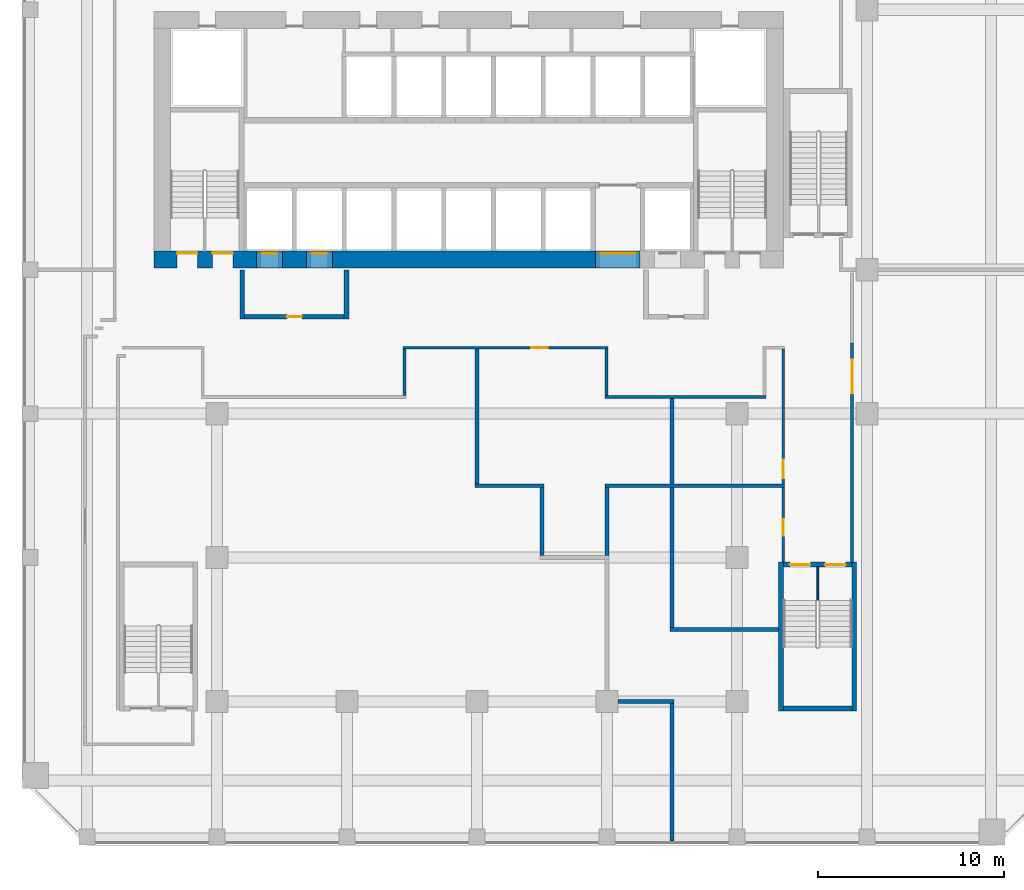
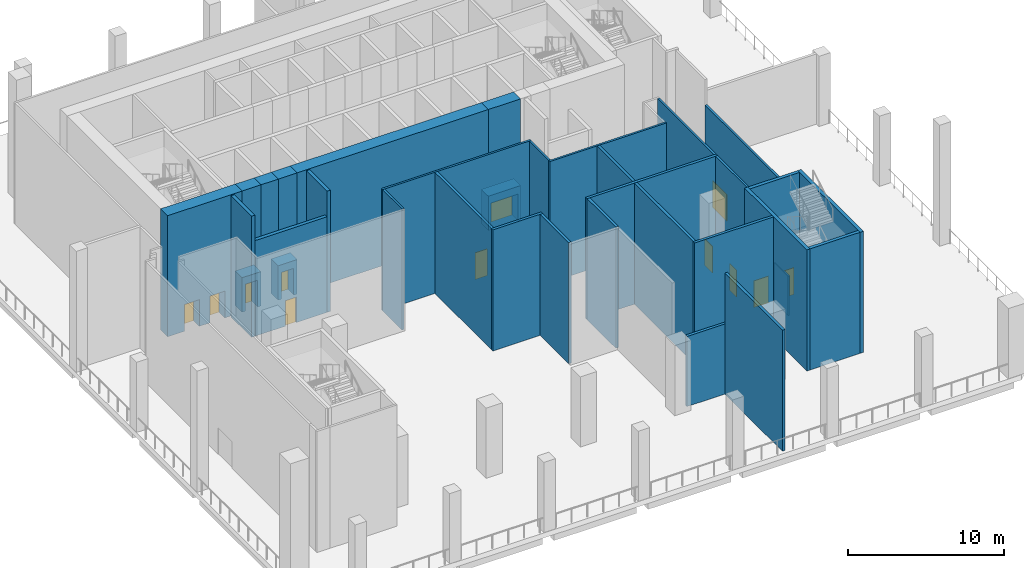
# One storey, part 3 of 12: 34 walls, 12 doors, 12 openings.
"""IFC4 building model written with IfcOpenShell, lengths in metres."""

from ifc_helpers import new_model, si_unit, direction, frame, frame_2d, origin, place, context, subcontext, project, spatial, rectangle, extrude, source, transform, mapped, material, layer, layer_set, type_object, element, fill, save


model = new_model("IFC4")

# Units and contexts
model_context = context("Model", 3, precision=1e-05, world=origin(), true_north=direction((0.0, 1.0)))
body_context = subcontext(model_context, "Body", "Model", "MODEL_VIEW")
ifc_project = project(units=[si_unit("LENGTHUNIT", "METRE"), si_unit("AREAUNIT", "SQUARE_METRE"), si_unit("VOLUMEUNIT", "CUBIC_METRE"), si_unit("PLANEANGLEUNIT", "RADIAN"), si_unit("MASSUNIT", "GRAM", prefix="KILO")], contexts=[model_context])

# Site, building, storey
site_placement = place(None, origin())
site = spatial("IfcSite", under=ifc_project, at=site_placement, CompositionType="ELEMENT")
building_placement = place(site_placement, origin())
building = spatial("IfcBuilding", under=site, at=building_placement, Name="Kilnfold Tower and Market Hall", CompositionType="ELEMENT")
storey_placement = place(building_placement, frame((0.0, 0.0, 128.60009765625)))
storey = spatial("IfcBuildingStorey", under=building, at=storey_placement, Name="L30 Refuge Wind Floor", CompositionType="ELEMENT", Elevation=128.60009765625)

# Wall, opening, door
ifc_material_1 = material(Name="Gypsum board on steel studs", Category="steel")
ifc_layer_1 = layer(ifc_material_1, 0.14990234375)
ifc_layer_set_1 = layer_set([ifc_layer_1], Name="Gypsum board on steel studs")
wall_type_1 = type_object("IfcWallType", Name="WALL CORRIDOR 150", PredefinedType="PARTITIONING", material=ifc_layer_set_1)
wall_1_placement = place(storey_placement, frame((-2.47509765625, 3.800048828125, 0.0), z_axis=(0.0, 0.0, 1.0), x_axis=(1.0, 0.0, 0.0)))
wall_1 = element("IfcWall", 1, at=wall_1_placement, inside=storey, type_object=wall_type_1, Name="Partition LY19.6", PredefinedType="PARTITIONING", context=body_context, shape_type="SweptSolid", body=[
    extrude(rectangle(XDim=11.030029296875, YDim=0.14990234375, at=frame_2d((5.51513671875, 0.0))), origin(), (0.0, 0.0, 1.0), 9.5),
])
opening_1_placement = place(wall_1_placement, frame((6.89599609375, 0.0, 0.0)))
opening_1 = element("IfcOpeningElement", 2, at=opening_1_placement, cuts=wall_1, Name="Opening D2", PredefinedType="OPENING", context=body_context, shape_type="SweptSolid", body=[
    extrude(rectangle(XDim=0.89990234375, YDim=2.10009765625, at=frame_2d((0.449951171875, 1.050048828125))), frame((0.0, 0.0849609375, 0.0), z_axis=(0.0, -1.0, 0.0), x_axis=(1.0, 0.0, 0.0)), (0.0, 0.0, 1.0), 0.169921875),
])
ifc_material_2 = material(Name="Timber veneer door leaf in steel frame", Category="steel")
door_type_1 = type_object("IfcDoorType", Name="DOOR ROOM 900 X2100", OperationType="NOTDEFINED", PredefinedType="DOOR", material=ifc_material_2)
door_1_placement = place(opening_1_placement, origin())
door_1 = element("IfcDoor", 3, at=door_1_placement, inside=storey, type_object=door_type_1, Name="Door D2", OperationType="SINGLE_SWING_RIGHT", OverallHeight=2.10009765625, OverallWidth=0.89990234375, PredefinedType="DOOR", context=body_context, shape_type="SweptSolid", body=[
    extrude(rectangle(XDim=0.89990234375, YDim=2.10009765625, at=frame_2d((0.449951171875, 1.050048828125))), frame((0.0, 0.02490234375, 0.0), z_axis=(0.0, -1.0, 0.0), x_axis=(1.0, 0.0, 0.0)), (0.0, 0.0, 1.0), 0.050048828125),
])
fill(opening_1, door_1)

# Walls
wall_2_placement = place(storey_placement, frame((-2.39990234375, 1.22509765625, 0.0), z_axis=(0.0, 0.0, 1.0), x_axis=(0.0, 1.0, 0.0)))
element("IfcWall", 4, at=wall_2_placement, inside=storey, type_object=wall_type_1, Name="Partition LY19.7", PredefinedType="PARTITIONING", context=body_context, shape_type="SweptSolid", body=[
    extrude(rectangle(XDim=2.5, YDim=0.14990234375, at=frame_2d((1.25, 0.0))), origin(), (0.0, 0.0, 1.0), 9.5),
])
wall_3_placement = place(storey_placement, frame((8.405029296875, 1.14990234375, 0.0), z_axis=(0.0, 0.0, 1.0), x_axis=(1.0, 0.0, 0.0)))
element("IfcWall", 5, at=wall_3_placement, inside=storey, type_object=wall_type_1, Name="Partition LY19.17", PredefinedType="PARTITIONING", context=body_context, shape_type="SweptSolid", body=[
    extrude(rectangle(XDim=8.64990234375, YDim=0.14990234375, at=frame_2d((4.324951171875, 0.0))), origin(), (0.0, 0.0, 1.0), 9.5),
])
wall_4_placement = place(storey_placement, frame((8.47998046875, 3.72509765625, 0.0), z_axis=(0.0, 0.0, 1.0), x_axis=(0.0, -1.0, 0.0)))
element("IfcWall", 6, at=wall_4_placement, inside=storey, type_object=wall_type_1, Name="Partition LY19.18", PredefinedType="PARTITIONING", context=body_context, shape_type="SweptSolid", body=[
    extrude(rectangle(XDim=2.5, YDim=0.14990234375, at=frame_2d((1.25, 0.0))), origin(), (0.0, 0.0, 1.0), 9.5),
])

# Wall, opening, door
wall_5_placement = place(storey_placement, frame((18.0, -7.75, 0.0), z_axis=(0.0, 0.0, 1.0), x_axis=(0.0, 1.0, 0.0)))
wall_5 = element("IfcWall", 7, at=wall_5_placement, inside=storey, type_object=wall_type_1, Name="Partition LY19.19", PredefinedType="PARTITIONING", context=body_context, shape_type="SweptSolid", body=[
    extrude(rectangle(XDim=4.034912109375, YDim=0.14990234375, at=frame_2d((2.017578125, 0.0))), origin(), (0.0, 0.0, 1.0), 9.5),
])
opening_2_placement = place(wall_5_placement, frame((1.416015625, 0.0, 0.0)))
opening_2 = element("IfcOpeningElement", 8, at=opening_2_placement, cuts=wall_5, Name="Opening D2", PredefinedType="OPENING", context=body_context, shape_type="SweptSolid", body=[
    extrude(rectangle(XDim=0.89990234375, YDim=2.10009765625, at=frame_2d((0.449951171875, 1.050048828125))), frame((0.0, 0.0849609375, 0.0), z_axis=(0.0, -1.0, 0.0), x_axis=(1.0, 0.0, 0.0)), (0.0, 0.0, 1.0), 0.169921875),
])
door_2_placement = place(opening_2_placement, origin())
door_2 = element("IfcDoor", 9, at=door_2_placement, inside=storey, type_object=door_type_1, Name="Door D2", OperationType="SINGLE_SWING_RIGHT", OverallHeight=2.10009765625, OverallWidth=0.89990234375, PredefinedType="DOOR", context=body_context, shape_type="SweptSolid", body=[
    extrude(rectangle(XDim=0.89990234375, YDim=2.10009765625, at=frame_2d((0.449951171875, 1.050048828125))), frame((0.0, 0.02490234375, 0.0), z_axis=(0.0, -1.0, 0.0), x_axis=(1.0, 0.0, 0.0)), (0.0, 0.0, 1.0), 0.050048828125),
])
fill(opening_2, door_2)

wall_6_placement = place(storey_placement, frame((21.699951171875, -7.75, 0.0), z_axis=(0.0, 0.0, 1.0), x_axis=(0.0, 1.0, 0.0)))
wall_6 = element("IfcWall", 10, at=wall_6_placement, inside=storey, type_object=wall_type_1, Name="Partition LY19.21", PredefinedType="PARTITIONING", context=body_context, shape_type="SweptSolid", body=[
    extrude(rectangle(XDim=11.798095703125, YDim=0.14990234375, at=frame_2d((5.89892578125, 0.0))), origin(), (0.0, 0.0, 1.0), 7.5),
])
opening_3_placement = place(wall_6_placement, frame((9.091064453125, 0.0, 0.0)))
opening_3 = element("IfcOpeningElement", 11, at=opening_3_placement, cuts=wall_6, Name="Opening D5", PredefinedType="OPENING", context=body_context, shape_type="SweptSolid", body=[
    extrude(rectangle(XDim=1.800048828125, YDim=2.10009765625, at=frame_2d((0.89990234375, 1.050048828125))), frame((0.0, 0.0849609375, 0.0), z_axis=(0.0, -1.0, 0.0), x_axis=(1.0, 0.0, 0.0)), (0.0, 0.0, 1.0), 0.169921875),
])
ifc_material_3 = material(Name="Timber veneer door leaf in steel frame", Category="steel")
door_type_2 = type_object("IfcDoorType", Name="DOOR DOUBLE 1800 X2100", OperationType="NOTDEFINED", PredefinedType="DOOR", material=ifc_material_3)
door_3_placement = place(opening_3_placement, origin())
door_3 = element("IfcDoor", 12, at=door_3_placement, inside=storey, type_object=door_type_2, Name="Door D5", OperationType="DOUBLE_DOOR_SINGLE_SWING", OverallHeight=2.10009765625, OverallWidth=1.800048828125, PredefinedType="DOOR", context=body_context, shape_type="SweptSolid", body=[
    extrude(rectangle(XDim=1.800048828125, YDim=2.10009765625, at=frame_2d((0.89990234375, 1.050048828125))), frame((0.0, 0.02490234375, 0.0), z_axis=(0.0, -1.0, 0.0), x_axis=(1.0, 0.0, 0.0)), (0.0, 0.0, 1.0), 0.050048828125),
])
fill(opening_3, door_3)

wall_7_placement = place(storey_placement, frame((18.0, -3.534912109375, 0.0), z_axis=(0.0, 0.0, 1.0), x_axis=(0.0, 1.0, 0.0)))
wall_7 = element("IfcWall", 13, at=wall_7_placement, inside=storey, type_object=wall_type_1, Name="Partition LY19.22", PredefinedType="PARTITIONING", context=body_context, shape_type="SweptSolid", body=[
    extrude(rectangle(XDim=7.260009765625, YDim=0.14990234375, at=frame_2d((3.6298828125, 0.0))), origin(), (0.0, 0.0, 1.0), 9.5),
])
opening_4_placement = place(wall_7_placement, frame((0.301025390625, 0.0, 0.0)))
opening_4 = element("IfcOpeningElement", 14, at=opening_4_placement, cuts=wall_7, Name="Opening D4", PredefinedType="OPENING", context=body_context, shape_type="SweptSolid", body=[
    extrude(rectangle(XDim=1.0, YDim=2.10009765625, at=frame_2d((0.5, 1.050048828125))), frame((0.0, 0.0849609375, 0.0), z_axis=(0.0, -1.0, 0.0), x_axis=(1.0, 0.0, 0.0)), (0.0, 0.0, 1.0), 0.169921875),
])
ifc_material_4 = material(Name="Timber veneer door leaf in steel frame", Category="steel")
door_type_3 = type_object("IfcDoorType", Name="DOOR SERVICE 1000 X2100", OperationType="NOTDEFINED", PredefinedType="DOOR", material=ifc_material_4)
door_4_placement = place(opening_4_placement, origin())
door_4 = element("IfcDoor", 15, at=door_4_placement, inside=storey, type_object=door_type_3, Name="Door D4", OperationType="SINGLE_SWING_RIGHT", OverallHeight=2.10009765625, OverallWidth=1.0, PredefinedType="DOOR", context=body_context, shape_type="SweptSolid", body=[
    extrude(rectangle(XDim=1.0, YDim=2.10009765625, at=frame_2d((0.5, 1.050048828125))), frame((0.0, 0.02490234375, 0.0), z_axis=(0.0, -1.0, 0.0), x_axis=(1.0, 0.0, 0.0)), (0.0, 0.0, 1.0), 0.050048828125),
])
fill(opening_4, door_4)

# Walls
ifc_material_5 = material(Name="Gypsum board on steel studs", Category="steel")
ifc_layer_2 = layer(ifc_material_5, 0.199951171875)
ifc_layer_set_2 = layer_set([ifc_layer_2], Name="Gypsum board on steel studs")
wall_type_2 = type_object("IfcWallType", Name="WALL PARTY 200", PredefinedType="PARTITIONING", material=ifc_layer_set_2)
wall_8_placement = place(storey_placement, frame((1.5, -3.52490234375, 0.0), z_axis=(0.0, 0.0, 1.0), x_axis=(0.0, 1.0, 0.0)))
element("IfcWall", 16, at=wall_8_placement, inside=storey, type_object=wall_type_2, Name="Partition LY19.29", PredefinedType="PARTITIONING", context=body_context, shape_type="SweptSolid", body=[
    extrude(rectangle(XDim=7.247802734375, YDim=0.199951171875, at=frame_2d((3.6240234375, 0.0))), origin(), (0.0, 0.0, 1.0), 9.5),
])
wall_9_placement = place(storey_placement, frame((1.39990234375, -3.625, 0.0), z_axis=(0.0, 0.0, 1.0), x_axis=(1.0, 0.0, 0.0)))
element("IfcWall", 17, at=wall_9_placement, inside=storey, type_object=wall_type_2, Name="Partition LY19.30", PredefinedType="PARTITIONING", context=body_context, shape_type="SweptSolid", body=[
    extrude(rectangle(XDim=3.7001953125, YDim=0.199951171875, at=frame_2d((1.85009765625, 0.0))), origin(), (0.0, 0.0, 1.0), 9.5),
])
wall_10_placement = place(storey_placement, frame((5.0, -7.39990234375, 0.0), z_axis=(0.0, 0.0, 1.0), x_axis=(0.0, 1.0, 0.0)))
element("IfcWall", 18, at=wall_10_placement, inside=storey, type_object=wall_type_2, Name="Partition LY19.31", PredefinedType="PARTITIONING", context=body_context, shape_type="SweptSolid", body=[
    extrude(rectangle(XDim=3.6748046875, YDim=0.199951171875, at=frame_2d((1.83740234375, 0.0))), origin(), (0.0, 0.0, 1.0), 9.5),
])
wall_11_placement = place(storey_placement, frame((12.10009765625, -15.25, 0.0), z_axis=(0.0, 0.0, 1.0), x_axis=(-1.0, 0.0, 0.0)))
element("IfcWall", 19, at=wall_11_placement, inside=storey, type_object=wall_type_2, Name="Partition LY19.34", PredefinedType="PARTITIONING", context=body_context, shape_type="SweptSolid", body=[
    extrude(rectangle(XDim=3.0, YDim=0.199951171875, at=frame_2d((1.5, 0.0))), origin(), (0.0, 0.0, 1.0), 5.5),
])
wall_12_placement = place(storey_placement, frame((12.0, -22.75, 0.0), z_axis=(0.0, 0.0, 1.0), x_axis=(0.0, 1.0, 0.0)))
element("IfcWall", 20, at=wall_12_placement, inside=storey, type_object=wall_type_2, Name="Partition LY19.35", PredefinedType="PARTITIONING", context=body_context, shape_type="SweptSolid", body=[
    extrude(rectangle(XDim=7.39990234375, YDim=0.199951171875, at=frame_2d((3.699951171875, 0.0))), origin(), (0.0, 0.0, 1.0), 9.5),
])
wall_13_placement = place(storey_placement, frame((8.39990234375, -3.625, 0.0), z_axis=(0.0, 0.0, 1.0), x_axis=(1.0, 0.0, 0.0)))
element("IfcWall", 21, at=wall_13_placement, inside=storey, type_object=wall_type_2, Name="Partition LY19.37", PredefinedType="PARTITIONING", context=body_context, shape_type="SweptSolid", body=[
    extrude(rectangle(XDim=9.673095703125, YDim=0.199951171875, at=frame_2d((4.83642578125, 0.0))), origin(), (0.0, 0.0, 1.0), 9.5),
])
wall_14_placement = place(storey_placement, frame((8.5, -7.39990234375, 0.0), z_axis=(0.0, 0.0, 1.0), x_axis=(0.0, 1.0, 0.0)))
element("IfcWall", 22, at=wall_14_placement, inside=storey, type_object=wall_type_2, Name="Partition LY19.38", PredefinedType="PARTITIONING", context=body_context, shape_type="SweptSolid", body=[
    extrude(rectangle(XDim=3.6748046875, YDim=0.199951171875, at=frame_2d((1.83740234375, 0.0))), origin(), (0.0, 0.0, 1.0), 9.5),
])
wall_15_placement = place(storey_placement, frame((12.0, -3.52490234375, 0.0), z_axis=(0.0, 0.0, 1.0), x_axis=(0.0, 1.0, 0.0)))
element("IfcWall", 23, at=wall_15_placement, inside=storey, type_object=wall_type_2, Name="Partition LY19.39", PredefinedType="PARTITIONING", context=body_context, shape_type="SweptSolid", body=[
    extrude(rectangle(XDim=4.597900390625, YDim=0.199951171875, at=frame_2d((2.298828125, 0.0))), origin(), (0.0, 0.0, 1.0), 9.5),
])
wall_16_placement = place(storey_placement, frame((11.89990234375, -11.375, 0.0), z_axis=(0.0, 0.0, 1.0), x_axis=(1.0, 0.0, 0.0)))
element("IfcWall", 24, at=wall_16_placement, inside=storey, type_object=wall_type_2, Name="Partition LY19.40", PredefinedType="PARTITIONING", context=body_context, shape_type="SweptSolid", body=[
    extrude(rectangle(XDim=5.85009765625, YDim=0.199951171875, at=frame_2d((2.925048828125, 0.0))), origin(), (0.0, 0.0, 1.0), 9.5),
])
wall_17_placement = place(storey_placement, frame((12.0, -11.27490234375, 0.0), z_axis=(0.0, 0.0, 1.0), x_axis=(0.0, 1.0, 0.0)))
element("IfcWall", 25, at=wall_17_placement, inside=storey, type_object=wall_type_2, Name="Partition LY19.41", PredefinedType="PARTITIONING", context=body_context, shape_type="SweptSolid", body=[
    extrude(rectangle(XDim=7.5498046875, YDim=0.199951171875, at=frame_2d((3.77490234375, 0.0))), origin(), (0.0, 0.0, 1.0), 9.5),
])

# Wall, openings, doors
ifc_material_6 = material(Name="Concrete C70", Category="concrete")
ifc_layer_3 = layer(ifc_material_6, 0.89990234375)
ifc_layer_set_3 = layer_set([ifc_layer_3], Name="Concrete C70")
wall_type_3 = type_object("IfcWallType", Name="CORE WALL 900 C70", PredefinedType="SHEAR", material=ifc_layer_set_3)
shared_shape_1 = source(origin(), body_context, "Body", "SweptSolid", [
    extrude(rectangle(XDim=5.52978515625, YDim=0.89990234375, at=frame_2d((2.764892578125, 0.0))), origin(), (0.0, 0.0, 1.0), 9.5),
])
wall_18_placement = place(storey_placement, frame((-15.89990234375, 8.550048828125, 0.0), z_axis=(0.0, 0.0, 1.0), x_axis=(1.0, 0.0, 0.0)))
wall_18 = element("IfcWall", 26, at=wall_18_placement, inside=storey, type_object=wall_type_3, Name="Core outer wall south", PredefinedType="SHEAR", context=body_context, shape_type="MappedRepresentation", body=[
    mapped(shared_shape_1, transform((0.0, 0.0, 0.0))),
])
opening_5_placement = place(wall_18_placement, frame((1.25, 0.0, 0.0)))
opening_5 = element("IfcOpeningElement", 27, at=opening_5_placement, cuts=wall_18, Name="Opening SD3", PredefinedType="OPENING", context=body_context, shape_type="SweptSolid", body=[
    extrude(rectangle(XDim=1.10009765625, YDim=2.10009765625, at=frame_2d((0.550048828125, 1.050048828125))), frame((0.0, 0.4599609375, 0.0), z_axis=(0.0, -1.0, 0.0), x_axis=(1.0, 0.0, 0.0)), (0.0, 0.0, 1.0), 0.919921875),
])
opening_6_placement = place(wall_18_placement, frame((3.14990234375, 0.0, 0.0)))
opening_6 = element("IfcOpeningElement", 28, at=opening_6_placement, cuts=wall_18, Name="Opening SD3", PredefinedType="OPENING", context=body_context, shape_type="SweptSolid", body=[
    extrude(rectangle(XDim=1.10009765625, YDim=2.10009765625, at=frame_2d((0.550048828125, 1.050048828125))), frame((0.0, 0.4599609375, 0.0), z_axis=(0.0, -1.0, 0.0), x_axis=(1.0, 0.0, 0.0)), (0.0, 0.0, 1.0), 0.919921875),
])
ifc_material_7 = material(Name="Steel door set with fire-resisting leaf", Category="steel")
door_type_4 = type_object("IfcDoorType", Name="STAIR REFUGE DOOR 1100X2100", OperationType="NOTDEFINED", PredefinedType="DOOR", material=ifc_material_7)
door_5_placement = place(opening_5_placement, origin())
door_5 = element("IfcDoor", 29, at=door_5_placement, inside=storey, type_object=door_type_4, Name="Exit stair ST1 door from refuge", OperationType="SINGLE_SWING_RIGHT", OverallHeight=2.10009765625, OverallWidth=1.10009765625, PredefinedType="DOOR", context=body_context, shape_type="SweptSolid", body=[
    extrude(rectangle(XDim=1.10009765625, YDim=2.10009765625, at=frame_2d((0.550048828125, 1.050048828125))), frame((0.0, 0.35498046875, 0.0), z_axis=(0.0, -1.0, 0.0), x_axis=(1.0, 0.0, 0.0)), (0.0, 0.0, 1.0), 0.050048828125),
])
fill(opening_5, door_5)
door_6_placement = place(opening_6_placement, origin())
door_6 = element("IfcDoor", 30, at=door_6_placement, inside=storey, type_object=door_type_4, Name="Exit stair ST1 door to refuge", OperationType="SINGLE_SWING_LEFT", OverallHeight=2.10009765625, OverallWidth=1.10009765625, PredefinedType="DOOR", context=body_context, shape_type="SweptSolid", body=[
    extrude(rectangle(XDim=1.10009765625, YDim=2.10009765625, at=frame_2d((0.550048828125, 1.050048828125))), frame((0.0, 0.35498046875, 0.0), z_axis=(0.0, -1.0, 0.0), x_axis=(1.0, 0.0, 0.0)), (0.0, 0.0, 1.0), 0.050048828125),
])
fill(opening_6, door_6)

# Walls
shared_shape_2 = source(origin(), body_context, "Body", "SweptSolid", [
    extrude(rectangle(XDim=1.280029296875, YDim=0.89990234375, at=frame_2d((0.64013671875, 0.0))), origin(), (0.0, 0.0, 1.0), 9.5),
])
wall_19_placement = place(storey_placement, frame((-8.969970703125, 8.550048828125, 0.0), z_axis=(0.0, 0.0, 1.0), x_axis=(1.0, 0.0, 0.0)))
element("IfcWall", 31, at=wall_19_placement, inside=storey, type_object=wall_type_3, Name="Core outer wall south", PredefinedType="SHEAR", context=body_context, shape_type="MappedRepresentation", body=[
    mapped(shared_shape_2, transform((0.0, 0.0, 0.0))),
])
shared_shape_3 = source(origin(), body_context, "Body", "SweptSolid", [
    extrude(rectangle(XDim=14.179931640625, YDim=0.89990234375, at=frame_2d((7.08984375, 0.0))), origin(), (0.0, 0.0, 1.0), 9.5),
])
wall_20_placement = place(storey_placement, frame((-6.2900390625, 8.550048828125, 0.0), z_axis=(0.0, 0.0, 1.0), x_axis=(1.0, 0.0, 0.0)))
element("IfcWall", 32, at=wall_20_placement, inside=storey, type_object=wall_type_3, Name="Core outer wall south", PredefinedType="SHEAR", context=body_context, shape_type="MappedRepresentation", body=[
    mapped(shared_shape_3, transform((0.0, 0.0, 0.0))),
])
ifc_material_8 = material(Name="Concrete C70", Category="concrete")
ifc_layer_4 = layer(ifc_material_8, 0.25)
ifc_layer_set_4 = layer_set([ifc_layer_4], Name="Concrete C70")
wall_type_4 = type_object("IfcWallType", Name="CORE WALL 250 C70", PredefinedType="SHEAR", material=ifc_layer_set_4)
shared_shape_4 = source(origin(), body_context, "Body", "SweptSolid", [
    extrude(rectangle(XDim=3.699951171875, YDim=0.25, at=frame_2d((1.85009765625, 0.0))), origin(), (0.0, 0.0, 1.0), 9.5),
])
wall_21_placement = place(storey_placement, frame((18.0, -15.625, 0.0), z_axis=(0.0, 0.0, 1.0), x_axis=(1.0, 0.0, 0.0)))
element("IfcWall", 33, at=wall_21_placement, inside=storey, type_object=wall_type_4, Name="Stair enclosure ST4", PredefinedType="SHEAR", context=body_context, shape_type="MappedRepresentation", body=[
    mapped(shared_shape_4, transform((0.0, 0.0, 0.0))),
])

# Wall, openings, doors
wall_22_placement = place(storey_placement, frame((18.0, -7.875, 0.0), z_axis=(0.0, 0.0, 1.0), x_axis=(1.0, 0.0, 0.0)))
wall_22 = element("IfcWall", 34, at=wall_22_placement, inside=storey, type_object=wall_type_4, Name="Stair enclosure ST4", PredefinedType="SHEAR", context=body_context, shape_type="MappedRepresentation", body=[
    mapped(shared_shape_4, transform((0.0, 0.0, 0.0))),
])
opening_7_placement = place(wall_22_placement, frame((2.25, 0.0, 0.0)))
opening_7 = element("IfcOpeningElement", 35, at=opening_7_placement, cuts=wall_22, Name="Opening SD3", PredefinedType="OPENING", context=body_context, shape_type="SweptSolid", body=[
    extrude(rectangle(XDim=1.10009765625, YDim=2.10009765625, at=frame_2d((0.550048828125, 1.050048828125))), frame((0.0, 0.135009765625, 0.0), z_axis=(0.0, -1.0, 0.0), x_axis=(1.0, 0.0, 0.0)), (0.0, 0.0, 1.0), 0.27001953125),
])
opening_8_placement = place(wall_22_placement, frame((0.35009765625, 0.0, 0.0)))
opening_8 = element("IfcOpeningElement", 36, at=opening_8_placement, cuts=wall_22, Name="Opening SD3", PredefinedType="OPENING", context=body_context, shape_type="SweptSolid", body=[
    extrude(rectangle(XDim=1.10009765625, YDim=2.10009765625, at=frame_2d((0.550048828125, 1.050048828125))), frame((0.0, 0.135009765625, 0.0), z_axis=(0.0, -1.0, 0.0), x_axis=(1.0, 0.0, 0.0)), (0.0, 0.0, 1.0), 0.27001953125),
])
door_7_placement = place(opening_7_placement, origin())
door_7 = element("IfcDoor", 37, at=door_7_placement, inside=storey, type_object=door_type_4, Name="Exit stair ST4 door from refuge", OperationType="SINGLE_SWING_RIGHT", OverallHeight=2.10009765625, OverallWidth=1.10009765625, PredefinedType="DOOR", context=body_context, shape_type="SweptSolid", body=[
    extrude(rectangle(XDim=1.10009765625, YDim=2.10009765625, at=frame_2d((0.550048828125, 1.050048828125))), frame((0.0, 0.02490234375, 0.0), z_axis=(0.0, -1.0, 0.0), x_axis=(1.0, 0.0, 0.0)), (0.0, 0.0, 1.0), 0.050048828125),
])
fill(opening_7, door_7)
door_8_placement = place(opening_8_placement, origin())
door_8 = element("IfcDoor", 38, at=door_8_placement, inside=storey, type_object=door_type_4, Name="Exit stair ST4 door to refuge", OperationType="SINGLE_SWING_LEFT", OverallHeight=2.10009765625, OverallWidth=1.10009765625, PredefinedType="DOOR", context=body_context, shape_type="SweptSolid", body=[
    extrude(rectangle(XDim=1.10009765625, YDim=2.10009765625, at=frame_2d((0.550048828125, 1.050048828125))), frame((0.0, 0.02490234375, 0.0), z_axis=(0.0, -1.0, 0.0), x_axis=(1.0, 0.0, 0.0)), (0.0, 0.0, 1.0), 0.050048828125),
])
fill(opening_8, door_8)

# Walls
shared_shape_5 = source(origin(), body_context, "Body", "SweptSolid", [
    extrude(rectangle(XDim=8.0, YDim=0.25, at=frame_2d((4.0, 0.0))), origin(), (0.0, 0.0, 1.0), 9.5),
])
for number, where, z_axis, x_axis, name in (
    (39, (17.875, -15.75, 0.0), (0.0, 0.0, 1.0), (0.0, 1.0, 0.0), "Stair enclosure ST4"),
    (40, (21.824951171875, -15.75, 0.0), (0.0, 0.0, 1.0), (0.0, 1.0, 0.0), "Stair enclosure ST4"),
):
    element("IfcWall", number, at=place(storey_placement, frame(where, z_axis=z_axis, x_axis=x_axis)), inside=storey, type_object=wall_type_4, Name=name, PredefinedType="SHEAR", context=body_context, shape_type="MappedRepresentation", body=[
        mapped(shared_shape_5, transform((0.0, 0.0, 0.0))),
    ])
shared_shape_6 = source(origin(), body_context, "Body", "SweptSolid", [
    extrude(rectangle(XDim=1.400146484375, YDim=0.89990234375, at=frame_2d((0.7001953125, 0.0))), origin(), (0.0, 0.0, 1.0), 5.60009765625),
])
wall_23_placement = place(storey_placement, frame((-10.3701171875, 8.550048828125, 3.89990234375), z_axis=(0.0, 0.0, 1.0), x_axis=(1.0, 0.0, 0.0)))
element("IfcWall", 41, at=wall_23_placement, inside=storey, type_object=wall_type_3, Name="Core wall over opening", PredefinedType="SHEAR", context=body_context, shape_type="MappedRepresentation", body=[
    mapped(shared_shape_6, transform((0.0, 0.0, 0.0))),
])
shared_shape_7 = source(origin(), body_context, "Body", "SweptSolid", [
    extrude(rectangle(XDim=1.39990234375, YDim=0.89990234375, at=frame_2d((0.699951171875, 0.0))), origin(), (0.0, 0.0, 1.0), 5.550048828125),
])
wall_24_placement = place(storey_placement, frame((-7.68994140625, 8.550048828125, 3.949951171875), z_axis=(0.0, 0.0, 1.0), x_axis=(1.0, 0.0, 0.0)))
element("IfcWall", 42, at=wall_24_placement, inside=storey, type_object=wall_type_3, Name="Core wall over opening", PredefinedType="SHEAR", context=body_context, shape_type="MappedRepresentation", body=[
    mapped(shared_shape_7, transform((0.0, 0.0, 0.0))),
])
shared_shape_8 = source(origin(), body_context, "Body", "SweptSolid", [
    extrude(rectangle(XDim=2.400146484375, YDim=0.89990234375, at=frame_2d((1.2001953125, 0.0))), origin(), (0.0, 0.0, 1.0), 5.300048828125),
])
wall_25_placement = place(storey_placement, frame((7.889892578125, 8.550048828125, 4.199951171875), z_axis=(0.0, 0.0, 1.0), x_axis=(1.0, 0.0, 0.0)))
element("IfcWall", 43, at=wall_25_placement, inside=storey, type_object=wall_type_3, Name="Core wall over opening", PredefinedType="SHEAR", context=body_context, shape_type="MappedRepresentation", body=[
    mapped(shared_shape_8, transform((0.0, 0.0, 0.0))),
])

# Wall, opening, door
ifc_material_9 = material(Name="Gypsum shaft wall system")
ifc_layer_5 = layer(ifc_material_9, 0.89990234375)
ifc_layer_set_5 = layer_set([ifc_layer_5], Name="Gypsum shaft wall system")
wall_type_5 = type_object("IfcWallType", Name="LOBBY WALL 900", PredefinedType="PARTITIONING", material=ifc_layer_set_5)
shared_shape_9 = source(origin(), body_context, "Body", "SweptSolid", [
    extrude(rectangle(XDim=1.400146484375, YDim=0.89990234375, at=frame_2d((0.7001953125, 0.0))), origin(), (0.0, 0.0, 1.0), 2.699951171875),
])
wall_26_placement = place(storey_placement, frame((-10.3701171875, 8.550048828125, 0.0), z_axis=(0.0, 0.0, 1.0), x_axis=(1.0, 0.0, 0.0)))
wall_26 = element("IfcWall", 44, at=wall_26_placement, inside=storey, type_object=wall_type_5, Name="Core wall infill", PredefinedType="PARTITIONING", context=body_context, shape_type="MappedRepresentation", body=[
    mapped(shared_shape_9, transform((0.0, 0.0, 0.0))),
])
opening_9_placement = place(wall_26_placement, frame((0.25, 0.0, 0.0)))
opening_9 = element("IfcOpeningElement", 45, at=opening_9_placement, cuts=wall_26, Name="Opening LD1", PredefinedType="OPENING", context=body_context, shape_type="SweptSolid", body=[
    extrude(rectangle(XDim=0.89990234375, YDim=2.10009765625, at=frame_2d((0.449951171875, 1.050048828125))), frame((0.0, 0.4599609375, 0.0), z_axis=(0.0, -1.0, 0.0), x_axis=(1.0, 0.0, 0.0)), (0.0, 0.0, 1.0), 0.919921875),
])
ifc_material_10 = material(Name="Steel door set with fire-resisting leaf", Category="steel")
door_type_5 = type_object("IfcDoorType", Name="FIREFIGHTING LANDING DOOR 900X2100", OperationType="NOTDEFINED", PredefinedType="DOOR", material=ifc_material_10)
door_9_placement = place(opening_9_placement, origin())
door_9 = element("IfcDoor", 46, at=door_9_placement, inside=storey, type_object=door_type_5, Name="Landing door FF1", OperationType="SLIDING_TO_LEFT", OverallHeight=2.10009765625, OverallWidth=0.89990234375, PredefinedType="DOOR", context=body_context, shape_type="SweptSolid", body=[
    extrude(rectangle(XDim=0.89990234375, YDim=2.10009765625, at=frame_2d((0.449951171875, 1.050048828125))), frame((0.0, 0.35498046875, 0.0), z_axis=(0.0, -1.0, 0.0), x_axis=(1.0, 0.0, 0.0)), (0.0, 0.0, 1.0), 0.050048828125),
])
fill(opening_9, door_9)

shared_shape_10 = source(origin(), body_context, "Body", "SweptSolid", [
    extrude(rectangle(XDim=1.39990234375, YDim=0.89990234375, at=frame_2d((0.699951171875, 0.0))), origin(), (0.0, 0.0, 1.0), 2.699951171875),
])
wall_27_placement = place(storey_placement, frame((-7.68994140625, 8.550048828125, 0.0), z_axis=(0.0, 0.0, 1.0), x_axis=(1.0, 0.0, 0.0)))
wall_27 = element("IfcWall", 47, at=wall_27_placement, inside=storey, type_object=wall_type_5, Name="Core wall infill", PredefinedType="PARTITIONING", context=body_context, shape_type="MappedRepresentation", body=[
    mapped(shared_shape_10, transform((0.0, 0.0, 0.0))),
])
opening_10_placement = place(wall_27_placement, frame((0.25, 0.0, 0.0)))
opening_10 = element("IfcOpeningElement", 48, at=opening_10_placement, cuts=wall_27, Name="Opening LD1", PredefinedType="OPENING", context=body_context, shape_type="SweptSolid", body=[
    extrude(rectangle(XDim=0.89990234375, YDim=2.10009765625, at=frame_2d((0.449951171875, 1.050048828125))), frame((0.0, 0.4599609375, 0.0), z_axis=(0.0, -1.0, 0.0), x_axis=(1.0, 0.0, 0.0)), (0.0, 0.0, 1.0), 0.919921875),
])
door_10_placement = place(opening_10_placement, origin())
door_10 = element("IfcDoor", 49, at=door_10_placement, inside=storey, type_object=door_type_5, Name="Landing door FF2", OperationType="SLIDING_TO_RIGHT", OverallHeight=2.10009765625, OverallWidth=0.89990234375, PredefinedType="DOOR", context=body_context, shape_type="SweptSolid", body=[
    extrude(rectangle(XDim=0.89990234375, YDim=2.10009765625, at=frame_2d((0.449951171875, 1.050048828125))), frame((0.0, 0.35498046875, 0.0), z_axis=(0.0, -1.0, 0.0), x_axis=(1.0, 0.0, 0.0)), (0.0, 0.0, 1.0), 0.050048828125),
])
fill(opening_10, door_10)

shared_shape_11 = source(origin(), body_context, "Body", "SweptSolid", [
    extrude(rectangle(XDim=2.400146484375, YDim=0.89990234375, at=frame_2d((1.2001953125, 0.0))), origin(), (0.0, 0.0, 1.0), 2.699951171875),
])
wall_28_placement = place(storey_placement, frame((7.889892578125, 8.550048828125, 0.0), z_axis=(0.0, 0.0, 1.0), x_axis=(1.0, 0.0, 0.0)))
wall_28 = element("IfcWall", 50, at=wall_28_placement, inside=storey, type_object=wall_type_5, Name="Core wall infill", PredefinedType="PARTITIONING", context=body_context, shape_type="MappedRepresentation", body=[
    mapped(shared_shape_11, transform((0.0, 0.0, 0.0))),
])
opening_11_placement = place(wall_28_placement, frame((0.199951171875, 0.0, 0.0)))
opening_11 = element("IfcOpeningElement", 51, at=opening_11_placement, cuts=wall_28, Name="Opening VD2", PredefinedType="OPENING", context=body_context, shape_type="SweptSolid", body=[
    extrude(rectangle(XDim=2.0, YDim=2.10009765625, at=frame_2d((1.0, 1.050048828125))), frame((0.0, 0.4599609375, 0.0), z_axis=(0.0, -1.0, 0.0), x_axis=(1.0, 0.0, 0.0)), (0.0, 0.0, 1.0), 0.919921875),
])
ifc_material_11 = material(Name="Steel door set with fire-resisting leaf", Category="steel")
door_type_6 = type_object("IfcDoorType", Name="LIFT LOBBY ENTRANCE DOOR 2000X2100", OperationType="NOTDEFINED", PredefinedType="DOOR", material=ifc_material_11)
door_11_placement = place(opening_11_placement, origin())
door_11 = element("IfcDoor", 52, at=door_11_placement, inside=storey, type_object=door_type_6, Name="Lift lobby entrance door", OperationType="DOUBLE_DOOR_SINGLE_SWING", OverallHeight=2.10009765625, OverallWidth=2.0, PredefinedType="DOOR", context=body_context, shape_type="SweptSolid", body=[
    extrude(rectangle(XDim=2.0, YDim=2.10009765625, at=frame_2d((1.0, 1.050048828125))), frame((0.0, 0.35498046875, 0.0), z_axis=(0.0, -1.0, 0.0), x_axis=(1.0, 0.0, 0.0)), (0.0, 0.0, 1.0), 0.050048828125),
])
fill(opening_11, door_11)

# Walls
ifc_material_12 = material(Name="Gypsum shaft wall system")
ifc_layer_6 = layer(ifc_material_12, 0.25)
ifc_layer_set_6 = layer_set([ifc_layer_6], Name="Gypsum shaft wall system")
wall_type_6 = type_object("IfcWallType", Name="LOBBY WALL 250", PredefinedType="PARTITIONING", material=ifc_layer_set_6)
shared_shape_12 = source(origin(), body_context, "Body", "SweptSolid", [
    extrude(rectangle(XDim=2.64990234375, YDim=0.25, at=frame_2d((1.324951171875, 0.0))), origin(), (0.0, 0.0, 1.0), 9.5),
])
for number, where, z_axis, x_axis, name in (
    (53, (-11.135009765625, 5.35009765625, 0.0), (0.0, 0.0, 1.0), (0.0, 1.0, 0.0), "Firefighting lobby wall"),
    (54, (-5.52490234375, 5.35009765625, 0.0), (0.0, 0.0, 1.0), (0.0, 1.0, 0.0), "Firefighting lobby wall"),
):
    element("IfcWall", number, at=place(storey_placement, frame(where, z_axis=z_axis, x_axis=x_axis)), inside=storey, type_object=wall_type_6, Name=name, PredefinedType="PARTITIONING", context=body_context, shape_type="MappedRepresentation", body=[
        mapped(shared_shape_12, transform((0.0, 0.0, 0.0))),
    ])

# Wall, opening, door
shared_shape_13 = source(origin(), body_context, "Body", "SweptSolid", [
    extrude(rectangle(XDim=5.360107421875, YDim=0.25, at=frame_2d((2.68017578125, 0.0))), origin(), (0.0, 0.0, 1.0), 7.5),
])
wall_29_placement = place(storey_placement, frame((-11.010009765625, 5.47509765625, 0.0), z_axis=(0.0, 0.0, 1.0), x_axis=(1.0, 0.0, 0.0)))
wall_29 = element("IfcWall", 55, at=wall_29_placement, inside=storey, type_object=wall_type_6, Name="Firefighting lobby wall", PredefinedType="PARTITIONING", context=body_context, shape_type="MappedRepresentation", body=[
    mapped(shared_shape_13, transform((0.0, 0.0, 0.0))),
])
opening_12_placement = place(wall_29_placement, frame((2.280029296875, 0.0, 0.0)))
opening_12 = element("IfcOpeningElement", 56, at=opening_12_placement, cuts=wall_29, Name="Opening VD1", PredefinedType="OPENING", context=body_context, shape_type="SweptSolid", body=[
    extrude(rectangle(XDim=0.800048828125, YDim=2.0, at=frame_2d((0.39990234375, 1.0))), frame((0.0, 0.135009765625, 0.0), z_axis=(0.0, -1.0, 0.0), x_axis=(1.0, 0.0, 0.0)), (0.0, 0.0, 1.0), 0.27001953125),
])
ifc_material_13 = material(Name="Steel door set with fire-resisting leaf", Category="steel")
door_type_7 = type_object("IfcDoorType", Name="FIREFIGHTING LOBBY DOOR 800X2000", OperationType="NOTDEFINED", PredefinedType="DOOR", material=ifc_material_13)
door_12_placement = place(opening_12_placement, origin())
door_12 = element("IfcDoor", 57, at=door_12_placement, inside=storey, type_object=door_type_7, Name="Firefighting lobby door", OperationType="SINGLE_SWING_LEFT", OverallHeight=2.0, OverallWidth=0.800048828125, PredefinedType="DOOR", context=body_context, shape_type="SweptSolid", body=[
    extrude(rectangle(XDim=0.800048828125, YDim=2.0, at=frame_2d((0.39990234375, 1.0))), frame((0.0, 0.02490234375, 0.0), z_axis=(0.0, -1.0, 0.0), x_axis=(1.0, 0.0, 0.0)), (0.0, 0.0, 1.0), 0.050048828125),
])
fill(opening_12, door_12)

# Wall
ifc_material_14 = material(Name="Gypsum shaft wall system")
ifc_layer_7 = layer(ifc_material_14, 0.10009765625)
ifc_layer_set_7 = layer_set([ifc_layer_7], Name="Gypsum shaft wall system")
wall_type_7 = type_object("IfcWallType", Name="STAIR PARTITION 100", PredefinedType="PARTITIONING", material=ifc_layer_set_7)
shared_shape_14 = source(origin(), body_context, "Body", "SweptSolid", [
    extrude(rectangle(XDim=1.800048828125, YDim=0.10009765625, at=frame_2d((0.89990234375, 0.0))), origin(), (0.0, 0.0, 1.0), 3.099853515625),
])
wall_30_placement = place(storey_placement, frame((19.85009765625, -9.800048828125, 0.0), z_axis=(0.0, 0.0, 1.0), x_axis=(0.0, 1.0, 0.0)))
element("IfcWall", 58, at=wall_30_placement, inside=storey, type_object=wall_type_7, Name="Exit stair ST4 refuge partition", PredefinedType="PARTITIONING", context=body_context, shape_type="MappedRepresentation", body=[
    mapped(shared_shape_14, transform((0.0, 0.0, 0.0))),
])

save(model, "model.ifc")
